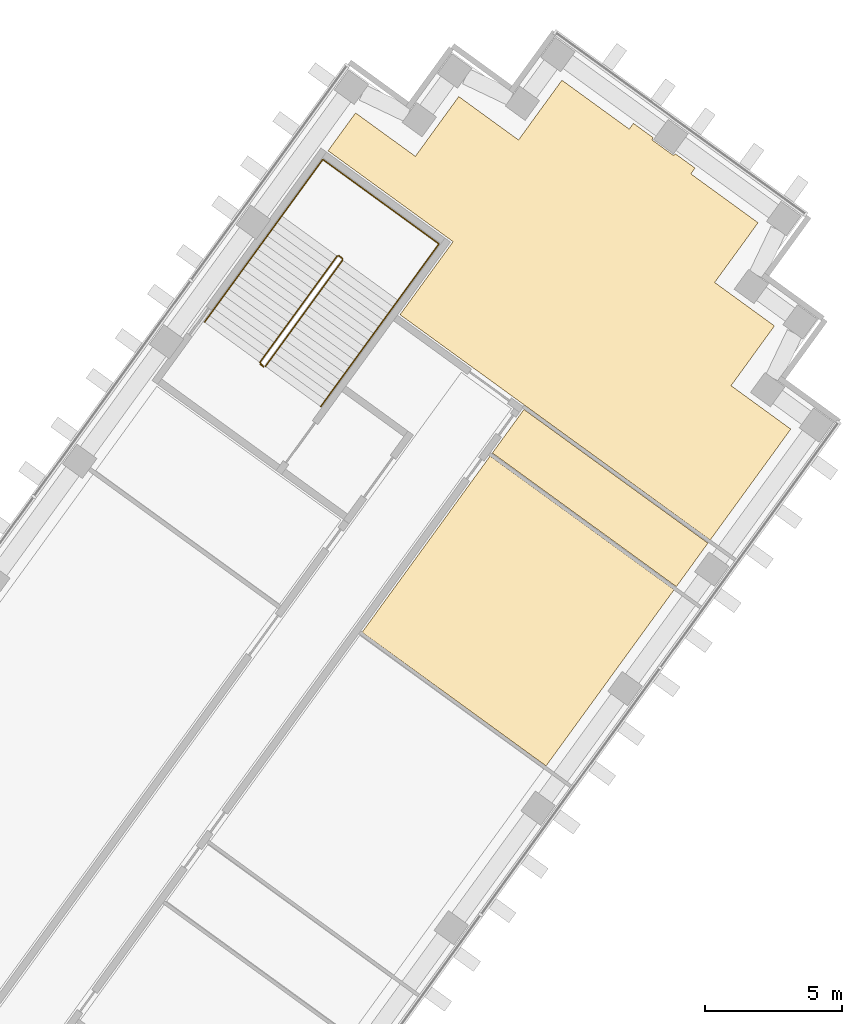
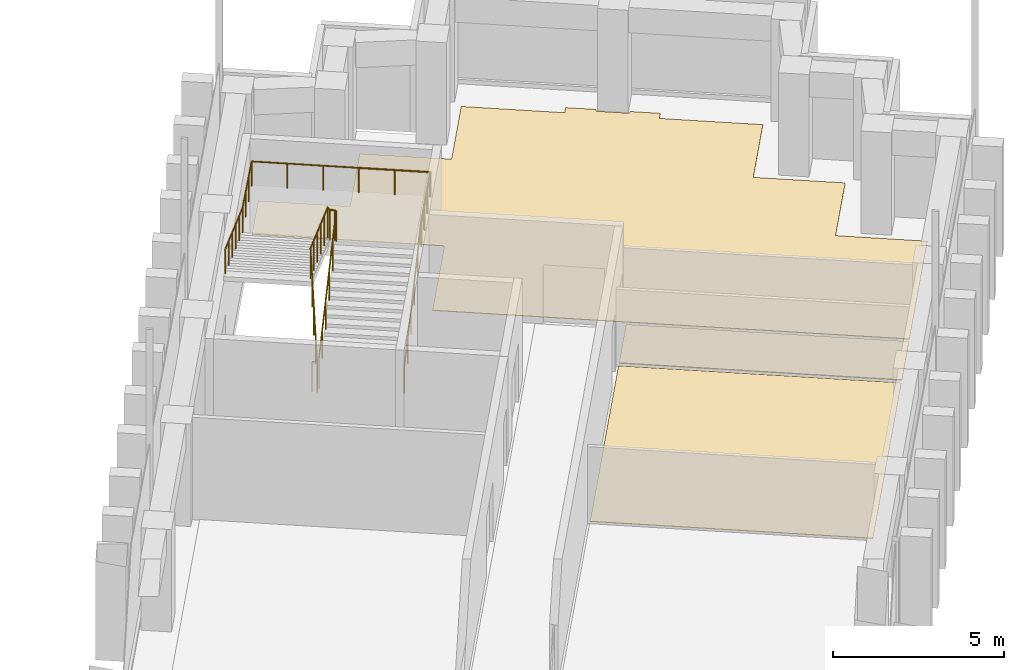
# One storey, part 18 of 18: 3 coverings, 2 railings.
"""IFC4 building model written with IfcOpenShell, lengths in metres."""

from ifc_helpers import new_model, si_unit, direction, frame, origin, origin_2d, place, context, subcontext, project, spatial, polyline, circle, outline, extrude, material, layer, layer_set, type_object, element, save


model = new_model("IFC4")

# Units and contexts
model_context = context("Model", 3, precision=1e-05, world=origin(), true_north=direction((0.0, 1.0)))
body_context = subcontext(model_context, "Body", "Model", "MODEL_VIEW")
ifc_project = project(units=[si_unit("LENGTHUNIT", "METRE"), si_unit("AREAUNIT", "SQUARE_METRE"), si_unit("VOLUMEUNIT", "CUBIC_METRE"), si_unit("PLANEANGLEUNIT", "RADIAN"), si_unit("MASSUNIT", "GRAM", prefix="KILO")], contexts=[model_context])

# Site, building, storey
site_placement = place(None, origin())
site = spatial("IfcSite", under=ifc_project, at=site_placement, CompositionType="ELEMENT")
building_placement = place(site_placement, origin())
building = spatial("IfcBuilding", under=site, at=building_placement, Name="Quipu Civic Tower", CompositionType="ELEMENT")
storey_placement = place(building_placement, frame((0.0, 0.0, 71.0)))
storey = spatial("IfcBuildingStorey", under=building, at=storey_placement, Name="L16", CompositionType="ELEMENT", Elevation=71.0)

# Coverings
ifc_material_1 = material(Name="Carpet tile on raised access floor")
ifc_layer_1 = layer(ifc_material_1, 0.02001953125)
ifc_layer_set_1 = layer_set([ifc_layer_1], Name="Carpet tile on raised access floor")
covering_type_1 = type_object("IfcCoveringType", Name="Carpet tile floor finish 20", PredefinedType="FLOORING", material=ifc_layer_set_1)
covering_1_placement = place(storey_placement, origin())
element("IfcCovering", 1, at=covering_1_placement, inside=storey, type_object=covering_type_1, Name="Carpet tile floor finish 20", PredefinedType="FLOORING", context=body_context, shape_type="SweptSolid", body=[
    extrude(outline(polyline([(37.81396484375, 21.93310546875), (42.491943359375, 28.373046875), (49.216064453125, 23.489013671875), (44.5380859375, 17.049072265625), (37.81396484375, 21.93310546875)])), origin(), (0.0, 0.0, 1.0), 0.02001953125),
])
covering_2_placement = place(storey_placement, origin())
element("IfcCovering", 2, at=covering_2_placement, inside=storey, type_object=covering_type_1, Name="Carpet tile floor finish 20", PredefinedType="FLOORING", context=body_context, shape_type="SweptSolid", body=[
    extrude(outline(polyline([(36.570068359375, 39.530029296875), (37.574951171875, 40.9130859375), (39.760009765625, 39.326904296875), (41.345947265625, 41.510986328125), (43.530029296875, 39.925048828125), (45.116943359375, 42.10791015625), (47.574951171875, 40.322021484375), (47.72900390625, 40.531982421875), (48.449951171875, 40.008056640625), (48.427001953125, 39.97705078125), (48.424072265625, 39.972900390625), (48.422119140625, 39.968017578125), (48.419921875, 39.964111328125), (48.4189453125, 39.958984375), (48.41796875, 39.9541015625), (48.4169921875, 39.948974609375), (48.4169921875, 39.944091796875), (48.41796875, 39.93994140625), (48.4189453125, 39.93505859375), (48.419921875, 39.929931640625), (48.422119140625, 39.926025390625), (48.425048828125, 39.9208984375), (48.427001953125, 39.9169921875), (48.430908203125, 39.9130859375), (48.43408203125, 39.909912109375), (48.43798828125, 39.906982421875), (49.166015625, 39.3779296875), (49.169921875, 39.375), (49.174072265625, 39.373046875), (49.178955078125, 39.37109375), (49.18408203125, 39.3701171875), (49.18896484375, 39.368896484375), (49.193115234375, 39.367919921875), (49.197998046875, 39.367919921875), (49.202880859375, 39.368896484375), (49.2080078125, 39.3701171875), (49.212890625, 39.37109375), (49.217041015625, 39.373046875), (49.220947265625, 39.3759765625), (49.22607421875, 39.3779296875), (49.22900390625, 39.382080078125), (49.23291015625, 39.385009765625), (49.236083984375, 39.388916015625), (49.259033203125, 39.4208984375), (49.97900390625, 38.89697265625), (49.826904296875, 38.68603515625), (52.284912109375, 36.90087890625), (50.698974609375, 34.717041015625), (52.883056640625, 33.12890625), (51.297119140625, 30.945068359375), (53.47998046875, 29.35791015625), (50.535888671875, 25.304931640625), (39.200927734375, 33.5390625), (41.139892578125, 36.208984375), (36.570068359375, 39.530029296875)])), origin(), (0.0, 0.0, 1.0), 0.02001953125),
])
ifc_material_2 = material(Name="Ceramic floor tile")
ifc_layer_2 = layer(ifc_material_2, 0.030029296875)
ifc_layer_set_2 = layer_set([ifc_layer_2], Name="Ceramic floor tile")
covering_type_2 = type_object("IfcCoveringType", Name="Ceramic tile floor finish 30", PredefinedType="FLOORING", material=ifc_layer_set_2)
covering_3_placement = place(storey_placement, origin())
element("IfcCovering", 3, at=covering_3_placement, inside=storey, type_object=covering_type_2, Name="Ceramic tile floor finish 30", PredefinedType="FLOORING", context=body_context, shape_type="SweptSolid", body=[
    extrude(outline(polyline([(42.574951171875, 28.486083984375), (43.72998046875, 30.075927734375), (50.452880859375, 25.19189453125), (49.299072265625, 23.60205078125), (42.574951171875, 28.486083984375)])), origin(), (0.0, 0.0, 1.0), 0.030029296875),
])

# Railings
ifc_material_3 = material(Name="Stainless steel", Category="steel")
railing_type_1 = type_object("IfcRailingType", Name="Stair guard 1100", PredefinedType="GUARDRAIL", material=ifc_material_3)
railing_1_placement = place(storey_placement, frame((34.28125, 31.650390625, 0.11767578125)))
element("IfcRailing", 4, at=railing_1_placement, inside=storey, type_object=railing_type_1, Name="Stair 7 guard", PredefinedType="GUARDRAIL", context=body_context, shape_type="SweptSolid", body=[
    extrude(circle(Radius=0.02392578125, at=origin_2d()), frame((0.0, 0.0, 1.076171875), z_axis=(0.54720100349, 0.753182689643, 0.365084781664), x_axis=(-0.809026317077, 0.587772420479, 0.0)), (0.0, 0.0, 1.0), 5.15576171875),
    extrude(circle(Radius=0.02392578125, at=origin_2d()), frame((2.8212890625, 3.88330078125, 2.95849609375), z_axis=(-0.155430446612, 0.987846838465, 0.0), x_axis=(-0.987846838465, -0.155430446612, 0.0)), (0.0, 0.0, 1.0), 0.07080078125),
    extrude(circle(Radius=0.02392578125, at=origin_2d()), frame((2.810302734375, 3.953125, 2.95849609375), z_axis=(-0.809649071907, 0.586914287065, 0.0), x_axis=(-0.586914287065, -0.809649071907, 0.0)), (0.0, 0.0, 1.0), 0.150146484375),
    extrude(circle(Radius=0.02392578125, at=origin_2d()), frame((2.688720703125, 4.041259765625, 2.95849609375), z_axis=(-0.508654480474, -0.080033047627, 0.857242865693), x_axis=(0.155430446612, -0.987846838465, 0.0)), (0.0, 0.0, 1.0), 0.13720703125),
    extrude(circle(Radius=0.02392578125, at=origin_2d()), frame((2.618896484375, 4.0302734375, 3.076171875), z_axis=(-0.54720100349, -0.753182689643, 0.365084781664), x_axis=(0.809026317077, -0.587772420479, 0.0)), (0.0, 0.0, 1.0), 5.15576171875),
    extrude(circle(Radius=0.02392578125, at=origin_2d()), frame((-0.202392578125, 0.14697265625, 4.95849609375), z_axis=(0.033037246672, -0.039437451286, -0.998675737048), x_axis=(0.766567769536, 0.642163417448, 0.0)), (0.0, 0.0, 1.0), 4.00537109375),
    extrude(circle(Radius=0.02392578125, at=origin_2d()), frame((-0.070068359375, -0.010986328125, 0.95849609375), z_axis=(-0.809087927272, 0.587687609145, 0.0), x_axis=(-0.587687609145, -0.809087927272, 0.0)), (0.0, 0.0, 1.0), 0.14990234375),
    extrude(circle(Radius=0.02099609375, at=origin_2d()), origin(), (0.0, 0.0, 1.0), 1.052001953125),
    extrude(circle(Radius=0.02099609375, at=origin_2d()), frame((0.564208984375, 0.776611328125, 0.37646484375)), (0.0, 0.0, 1.0), 1.052001953125),
    extrude(circle(Radius=0.02099609375, at=origin_2d()), frame((1.12841796875, 1.55322265625, 0.7529296875)), (0.0, 0.0, 1.0), 1.052001953125),
    extrude(circle(Radius=0.02099609375, at=origin_2d()), frame((1.69287109375, 2.330078125, 1.12939453125)), (0.0, 0.0, 1.0), 1.052001953125),
    extrude(circle(Radius=0.02099609375, at=origin_2d()), frame((2.257080078125, 3.106689453125, 1.505859375)), (0.0, 0.0, 1.0), 1.052001953125),
    extrude(circle(Radius=0.02099609375, at=origin_2d()), frame((2.8212890625, 3.88330078125, 1.88232421875)), (0.0, 0.0, 1.0), 1.052001953125),
    extrude(circle(Radius=0.02099609375, at=origin_2d()), frame((2.810302734375, 3.953125, 1.88232421875)), (0.0, 0.0, 1.0), 1.052001953125),
    extrude(circle(Radius=0.02099609375, at=origin_2d()), frame((2.688720703125, 4.041259765625, 1.88232421875)), (0.0, 0.0, 1.0), 1.052001953125),
    extrude(circle(Radius=0.02099609375, at=origin_2d()), frame((2.618896484375, 4.0302734375, 2.0)), (0.0, 0.0, 1.0), 1.052001953125),
    extrude(circle(Radius=0.02099609375, at=origin_2d()), frame((2.0546875, 3.253662109375, 2.37646484375)), (0.0, 0.0, 1.0), 1.052001953125),
    extrude(circle(Radius=0.02099609375, at=origin_2d()), frame((1.490478515625, 2.47705078125, 2.7529296875)), (0.0, 0.0, 1.0), 1.052001953125),
    extrude(circle(Radius=0.02099609375, at=origin_2d()), frame((0.926025390625, 1.7001953125, 3.12939453125)), (0.0, 0.0, 1.0), 1.052001953125),
    extrude(circle(Radius=0.02099609375, at=origin_2d()), frame((0.36181640625, 0.923583984375, 3.505859375)), (0.0, 0.0, 1.0), 1.052001953125),
    extrude(circle(Radius=0.02099609375, at=origin_2d()), frame((-0.202392578125, 0.14697265625, 3.88232421875)), (0.0, 0.0, 1.0), 1.052001953125),
    extrude(circle(Radius=0.02099609375, at=origin_2d()), frame((-0.16943359375, 0.107421875, 2.88232421875)), (0.0, 0.0, 1.0), 1.052001953125),
    extrude(circle(Radius=0.02099609375, at=origin_2d()), frame((-0.13623046875, 0.06787109375, 1.88232421875)), (0.0, 0.0, 1.0), 1.052001953125),
    extrude(circle(Radius=0.02099609375, at=origin_2d()), frame((-0.10302734375, 0.028564453125, 0.88232421875)), (0.0, 0.0, 1.0), 1.052001953125),
    extrude(circle(Radius=0.02099609375, at=origin_2d()), frame((-0.070068359375, -0.010986328125, -0.11767578125)), (0.0, 0.0, 1.0), 1.052001953125),
    extrude(circle(Radius=0.02099609375, at=origin_2d()), frame((-0.19140625, 0.0771484375, -0.11767578125)), (0.0, 0.0, 1.0), 1.052001953125),
])
ifc_material_4 = material(Name="Stainless steel", Category="steel")
railing_type_2 = type_object("IfcRailingType", Name="Stair handrail", PredefinedType="HANDRAIL", material=ifc_material_4)
railing_2_placement = place(storey_placement, frame((36.3037109375, 30.180908203125, 0.11767578125)))
element("IfcRailing", 5, at=railing_2_placement, inside=storey, type_object=railing_type_2, Name="Stair 7 handrail", PredefinedType="HANDRAIL", context=body_context, shape_type="SweptSolid", body=[
    extrude(circle(Radius=0.02392578125, at=origin_2d()), frame((0.0, 0.0, 0.8759765625), z_axis=(0.54720100349, 0.753182689643, 0.365084781664), x_axis=(-0.809026317077, 0.587772420479, 0.0)), (0.0, 0.0, 1.0), 5.15576171875),
    extrude(circle(Radius=0.02392578125, at=origin_2d()), frame((2.8212890625, 3.88330078125, 2.75830078125), z_axis=(0.587767432704, 0.809029940764, 0.0), x_axis=(-0.809029940764, 0.587767432704, 0.0)), (0.0, 0.0, 1.0), 2.550048828125),
    extrude(circle(Radius=0.02392578125, at=origin_2d()), frame((4.320068359375, 5.9462890625, 2.75830078125), z_axis=(-0.809009483706, 0.587795589702, 0.0), x_axis=(-0.587795589702, -0.809009483706, 0.0)), (0.0, 0.0, 1.0), 5.25),
    extrude(circle(Radius=0.02392578125, at=origin_2d()), frame((0.07275390625, 9.0322265625, 2.75830078125), z_axis=(-0.587142558822, -0.808169835812, 0.046099155132), x_axis=(0.809029940764, -0.587767432704, 0.0)), (0.0, 0.0, 1.0), 2.552734375),
    extrude(circle(Radius=0.02392578125, at=origin_2d()), frame((-1.426025390625, 6.96923828125, 2.8759765625), z_axis=(-0.54720100349, -0.753182689643, 0.365084781664), x_axis=(0.809026317077, -0.587772420479, 0.0)), (0.0, 0.0, 1.0), 5.15576171875),
    extrude(circle(Radius=0.02099609375, at=origin_2d()), origin(), (0.0, 0.0, 1.0), 0.851806640625),
    extrude(circle(Radius=0.02099609375, at=origin_2d()), frame((0.564208984375, 0.776611328125, 0.37646484375)), (0.0, 0.0, 1.0), 0.851806640625),
    extrude(circle(Radius=0.02099609375, at=origin_2d()), frame((1.12841796875, 1.55322265625, 0.7529296875)), (0.0, 0.0, 1.0), 0.851806640625),
    extrude(circle(Radius=0.02099609375, at=origin_2d()), frame((1.69287109375, 2.330078125, 1.12939453125)), (0.0, 0.0, 1.0), 0.851806640625),
    extrude(circle(Radius=0.02099609375, at=origin_2d()), frame((2.257080078125, 3.106689453125, 1.505859375)), (0.0, 0.0, 1.0), 0.851806640625),
    extrude(circle(Radius=0.02099609375, at=origin_2d()), frame((2.8212890625, 3.88330078125, 1.88232421875)), (0.0, 0.0, 1.0), 0.851806640625),
    extrude(circle(Radius=0.02099609375, at=origin_2d()), frame((3.32080078125, 4.571044921875, 1.88232421875)), (0.0, 0.0, 1.0), 0.851806640625),
    extrude(circle(Radius=0.02099609375, at=origin_2d()), frame((3.820556640625, 5.258544921875, 1.88232421875)), (0.0, 0.0, 1.0), 0.851806640625),
    extrude(circle(Radius=0.02099609375, at=origin_2d()), frame((4.320068359375, 5.9462890625, 1.88232421875)), (0.0, 0.0, 1.0), 0.851806640625),
    extrude(circle(Radius=0.02099609375, at=origin_2d()), frame((3.470703125, 6.5634765625, 1.88232421875)), (0.0, 0.0, 1.0), 0.851806640625),
    extrude(circle(Radius=0.02099609375, at=origin_2d()), frame((2.62109375, 7.1806640625, 1.88232421875)), (0.0, 0.0, 1.0), 0.851806640625),
    extrude(circle(Radius=0.02099609375, at=origin_2d()), frame((1.771728515625, 7.7978515625, 1.88232421875)), (0.0, 0.0, 1.0), 0.851806640625),
    extrude(circle(Radius=0.02099609375, at=origin_2d()), frame((0.922119140625, 8.4150390625, 1.88232421875)), (0.0, 0.0, 1.0), 0.851806640625),
    extrude(circle(Radius=0.02099609375, at=origin_2d()), frame((0.07275390625, 9.0322265625, 1.88232421875)), (0.0, 0.0, 1.0), 0.851806640625),
    extrude(circle(Radius=0.02099609375, at=origin_2d()), frame((-0.4267578125, 8.344482421875, 1.921630859375)), (0.0, 0.0, 1.0), 0.851806640625),
    extrude(circle(Radius=0.02099609375, at=origin_2d()), frame((-0.926513671875, 7.656982421875, 1.960693359375)), (0.0, 0.0, 1.0), 0.851806640625),
    extrude(circle(Radius=0.02099609375, at=origin_2d()), frame((-1.426025390625, 6.96923828125, 2.0)), (0.0, 0.0, 1.0), 0.851806640625),
    extrude(circle(Radius=0.02099609375, at=origin_2d()), frame((-1.990234375, 6.192626953125, 2.37646484375)), (0.0, 0.0, 1.0), 0.851806640625),
    extrude(circle(Radius=0.02099609375, at=origin_2d()), frame((-2.554443359375, 5.416015625, 2.7529296875)), (0.0, 0.0, 1.0), 0.851806640625),
    extrude(circle(Radius=0.02099609375, at=origin_2d()), frame((-3.118896484375, 4.63916015625, 3.12939453125)), (0.0, 0.0, 1.0), 0.851806640625),
    extrude(circle(Radius=0.02099609375, at=origin_2d()), frame((-3.68310546875, 3.862548828125, 3.505859375)), (0.0, 0.0, 1.0), 0.851806640625),
    extrude(circle(Radius=0.02099609375, at=origin_2d()), frame((-4.247314453125, 3.0859375, 3.88232421875)), (0.0, 0.0, 1.0), 0.851806640625),
])

save(model, "model.ifc")
